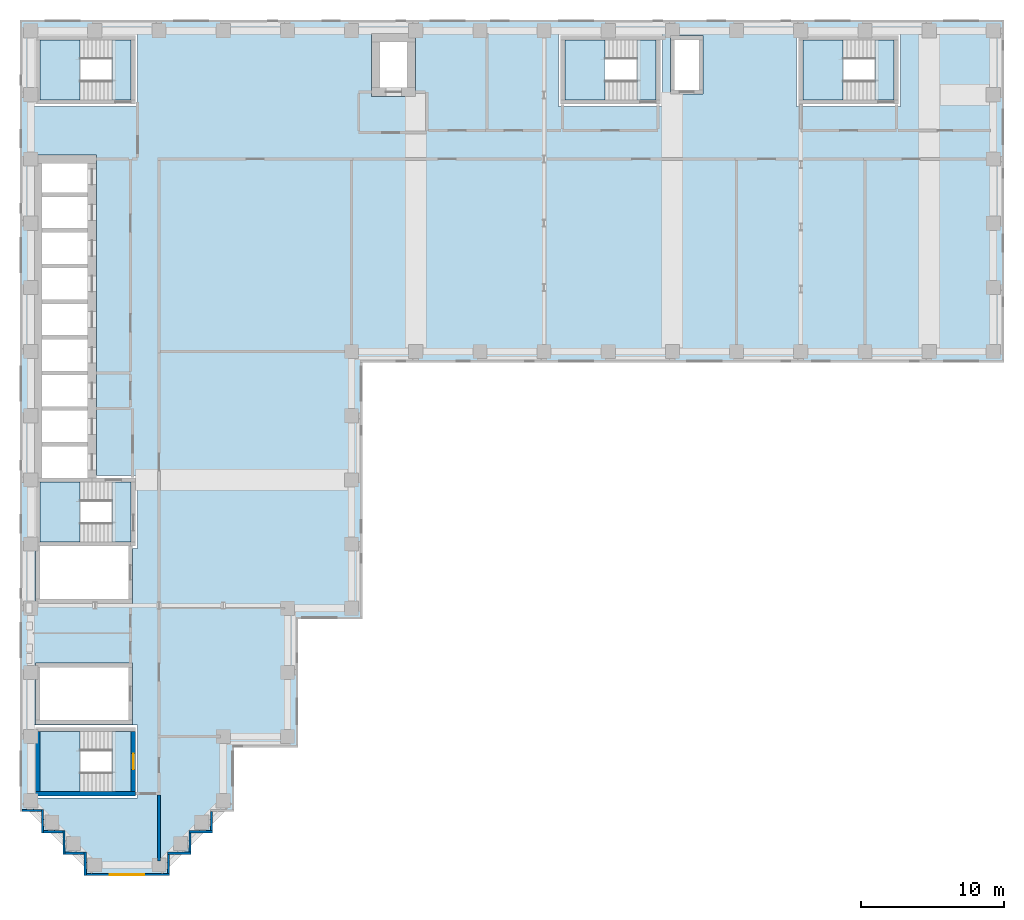
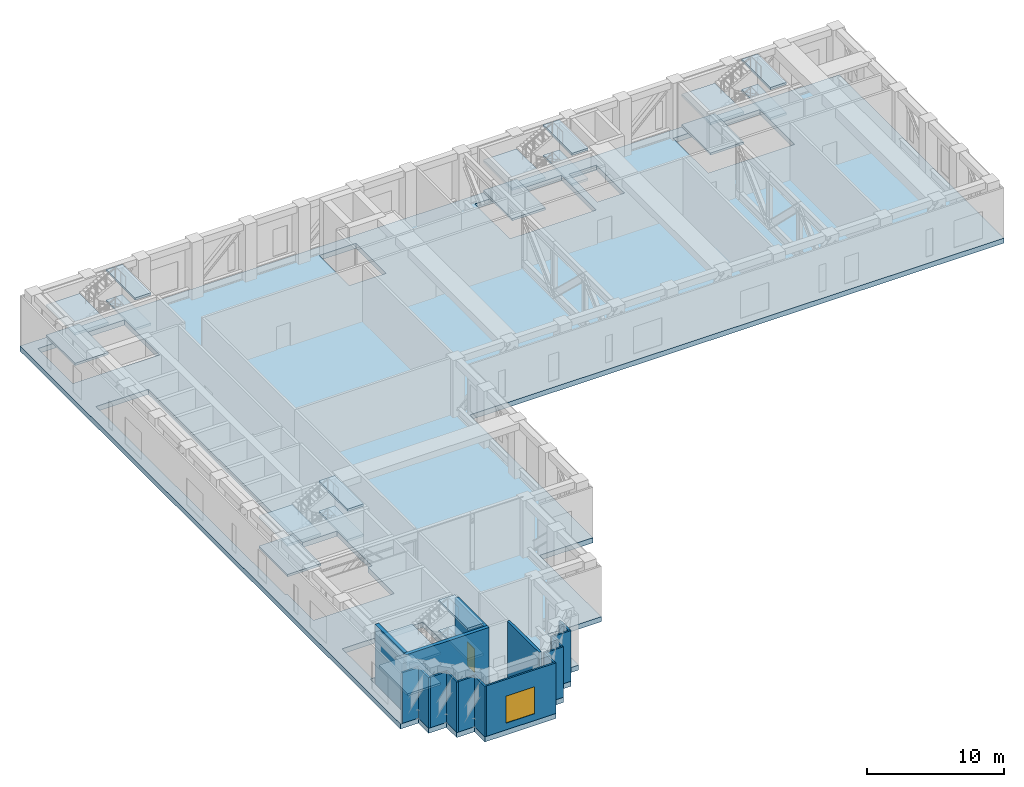
# One storey, part 4 of 14: 21 slabs, 16 walls, 1 door, 1 window, 2 openings, 5 elements without a shape of their own.
"""IFC4 building model written with IfcOpenShell, lengths in metres."""

from ifc_helpers import new_model, si_unit, direction, frame, frame_2d, origin, place, context, subcontext, project, spatial, polyline, rectangle, outline, extrude, material, layer, layer_set, type_object, element, fill, aggregate, save


model = new_model("IFC4")

# Units and contexts
model_context = context("Model", 3, precision=1e-05, world=origin(), true_north=direction((0.0, 1.0)))
body_context = subcontext(model_context, "Body", "Model", "MODEL_VIEW")
ifc_project = project(units=[si_unit("LENGTHUNIT", "METRE"), si_unit("AREAUNIT", "SQUARE_METRE"), si_unit("VOLUMEUNIT", "CUBIC_METRE"), si_unit("PLANEANGLEUNIT", "RADIAN"), si_unit("MASSUNIT", "GRAM", prefix="KILO")], contexts=[model_context])

# Site, building, storey
site_placement = place(None, origin())
site = spatial("IfcSite", under=ifc_project, at=site_placement, CompositionType="ELEMENT")
building_placement = place(site_placement, origin())
building = spatial("IfcBuilding", under=site, at=building_placement, Name="Firuza Court", CompositionType="ELEMENT")
storey_placement = place(building_placement, frame((0.0, 0.0, 173.60009765625)))
storey = spatial("IfcBuildingStorey", under=building, at=storey_placement, Name="L44", CompositionType="ELEMENT", Elevation=173.60009765625)

# Slab
ifc_material_1 = material(Name="Concrete C40/50", Category="concrete")
ifc_layer_1 = layer(ifc_material_1, 0.449951171875)
ifc_layer_set_1 = layer_set([ifc_layer_1], Name="Concrete C40/50")
slab_type_1 = type_object("IfcSlabType", Name="Floor slab 450 C40/50", PredefinedType="FLOOR", material=ifc_layer_set_1)
slab_1_placement = place(storey_placement, frame((0.0, 0.0, -0.4501953125)))
element("IfcSlab", 1, at=slab_1_placement, inside=storey, type_object=slab_type_1, Name="Floor slab L44", PredefinedType="FLOOR", context=body_context, shape_type="SweptSolid", body=[
    extrude(outline(polyline([(3.75, -0.75), (3.75, 0.75), (2.25, 0.75), (2.25, 2.25), (0.75, 2.25), (0.75, 3.75), (-0.75, 3.75), (-0.75, 59.25), (68.25, 59.25), (68.25, 35.25), (23.25, 35.25), (23.25, 17.25), (18.75, 17.25), (18.75, 8.25), (14.25, 8.25), (14.25, 3.75), (12.75, 3.75), (12.75, 2.25), (11.25, 2.25), (11.25, 0.75), (9.75, 0.75), (9.75, -0.75), (3.75, -0.75)]), holes=[polyline([(0.199951171875, 29.800048828125), (0.199951171875, 29.199951171875), (0.199951171875, 27.300048828125), (0.199951171875, 26.699951171875), (0.199951171875, 22.199951171875), (0.35009765625, 22.199951171875), (0.35009765625, 18.35009765625), (7.14990234375, 18.35009765625), (7.14990234375, 22.199951171875), (7.5, 22.199951171875), (7.5, 27.300048828125), (4.60009765625, 27.300048828125), (4.60009765625, 29.199951171875), (4.60009765625, 29.800048828125), (4.60009765625, 31.699951171875), (4.60009765625, 32.300048828125), (4.60009765625, 34.199951171875), (4.60009765625, 34.800048828125), (4.60009765625, 36.699951171875), (4.60009765625, 37.300048828125), (4.60009765625, 39.199951171875), (4.60009765625, 39.800048828125), (4.60009765625, 41.699951171875), (4.60009765625, 42.300048828125), (4.60009765625, 44.199951171875), (4.60009765625, 44.800048828125), (4.60009765625, 46.699951171875), (4.60009765625, 47.300048828125), (4.60009765625, 49.800048828125), (0.199951171875, 49.800048828125), (0.199951171875, 47.300048828125), (0.199951171875, 46.699951171875), (0.199951171875, 44.800048828125), (0.199951171875, 44.199951171875), (0.199951171875, 42.300048828125), (0.199951171875, 41.699951171875), (0.199951171875, 39.800048828125), (0.199951171875, 39.199951171875), (0.199951171875, 37.300048828125), (0.199951171875, 36.699951171875), (0.199951171875, 34.800048828125), (0.199951171875, 34.199951171875), (0.199951171875, 32.300048828125), (0.199951171875, 31.699951171875), (0.199951171875, 29.800048828125)]), polyline([(7.5, 9.800048828125), (0.199951171875, 9.800048828125), (0.199951171875, 4.699951171875), (7.5, 4.699951171875), (7.5, 9.800048828125)]), polyline([(7.14990234375, 14.14990234375), (0.35009765625, 14.14990234375), (0.35009765625, 9.85009765625), (7.14990234375, 9.85009765625), (7.14990234375, 14.14990234375)]), polyline([(7.5, 58.300048828125), (0.199951171875, 58.300048828125), (0.199951171875, 53.199951171875), (7.5, 53.199951171875), (7.5, 58.300048828125)]), polyline([(44.300048828125, 58.300048828125), (37.0, 58.300048828125), (37.0, 53.199951171875), (44.300048828125, 53.199951171875), (44.300048828125, 58.300048828125)]), polyline([(61.0, 58.300048828125), (53.699951171875, 58.300048828125), (53.699951171875, 53.199951171875), (61.0, 53.199951171875), (61.0, 58.300048828125)]), polyline([(27.0, 53.89990234375), (27.0, 58.300048828125), (23.89990234375, 58.300048828125), (23.89990234375, 53.89990234375), (27.0, 53.89990234375)]), polyline([(47.14990234375, 54.050048828125), (47.14990234375, 58.14990234375), (44.85009765625, 58.14990234375), (44.85009765625, 54.050048828125), (47.14990234375, 54.050048828125)])]), origin(), (0.0, 0.0, 1.0), 0.4501953125),
])

# Stair, slabs
ifc_material_2 = material(Name="Concrete C40/50 precast", Category="concrete")
stair_type = type_object("IfcStairType", Name="Stair 1350 x 5400 4 flights", PredefinedType="QUARTER_TURN_STAIR", material=ifc_material_2)
stair_1_placement = place(storey_placement, origin())
stair_1 = element("IfcStair", 2, at=stair_1_placement, inside=storey, type_object=stair_type, Name="Stair 1 L44", PredefinedType="QUARTER_TURN_STAIR")
ifc_material_3 = material(Name="Concrete C40/50 precast", Category="concrete")
ifc_layer_2 = layer(ifc_material_3, 0.199951171875)
ifc_layer_set_2 = layer_set([ifc_layer_2], Name="Concrete C40/50 precast")
slab_type_2 = type_object("IfcSlabType", Name="Stair landing 200", PredefinedType="LANDING", material=ifc_layer_set_2)
slab_2_placement = place(storey_placement, frame((0.0, 0.0, 1.14990234375)))
slab_2 = element("IfcSlab", 3, at=slab_2_placement, type_object=slab_type_2, Name="S1 landing 1", PredefinedType="LANDING", context=body_context, shape_type="SweptSolid", body=[
    extrude(outline(polyline([(40.260009765625, 53.64990234375), (40.260009765625, 57.85009765625), (37.449951171875, 57.85009765625), (37.449951171875, 53.64990234375), (40.260009765625, 53.64990234375)])), origin(), (0.0, 0.0, 1.0), 0.199951171875),
])
slab_3_placement = place(storey_placement, frame((0.0, 0.0, 2.5)))
slab_3 = element("IfcSlab", 4, at=slab_3_placement, type_object=slab_type_2, Name="S1 landing 2", PredefinedType="LANDING", context=body_context, shape_type="SweptSolid", body=[
    extrude(outline(polyline([(43.85009765625, 53.64990234375), (43.85009765625, 57.85009765625), (42.5, 57.85009765625), (42.5, 53.64990234375), (43.85009765625, 53.64990234375)])), origin(), (0.0, 0.0, 1.0), 0.199951171875),
])
slab_4_placement = place(storey_placement, frame((0.0, 0.0, 3.849853515625)))
slab_4 = element("IfcSlab", 5, at=slab_4_placement, type_object=slab_type_2, Name="S1 landing 3", PredefinedType="LANDING", context=body_context, shape_type="SweptSolid", body=[
    extrude(outline(polyline([(40.260009765625, 53.64990234375), (40.260009765625, 57.85009765625), (37.449951171875, 57.85009765625), (37.449951171875, 53.64990234375), (40.260009765625, 53.64990234375)])), origin(), (0.0, 0.0, 1.0), 0.199951171875),
])
slab_5_placement = place(storey_placement, frame((0.0, 0.0, 5.199951171875)))
slab_5 = element("IfcSlab", 6, at=slab_5_placement, type_object=slab_type_2, Name="S1 landing 4", PredefinedType="LANDING", context=body_context, shape_type="SweptSolid", body=[
    extrude(outline(polyline([(43.85009765625, 53.64990234375), (43.85009765625, 57.85009765625), (42.5, 57.85009765625), (42.5, 53.64990234375), (43.85009765625, 53.64990234375)])), origin(), (0.0, 0.0, 1.0), 0.199951171875),
])
aggregate(stair_1, [slab_2, slab_3, slab_4, slab_5])

stair_2_placement = place(storey_placement, origin())
stair_2 = element("IfcStair", 7, at=stair_2_placement, inside=storey, type_object=stair_type, Name="Stair 2 L44", PredefinedType="QUARTER_TURN_STAIR")
slab_6_placement = place(storey_placement, frame((0.0, 0.0, 1.14990234375)))
slab_6 = element("IfcSlab", 8, at=slab_6_placement, type_object=slab_type_2, Name="S2 landing 1", PredefinedType="LANDING", context=body_context, shape_type="SweptSolid", body=[
    extrude(outline(polyline([(3.4599609375, 22.64990234375), (3.4599609375, 26.85009765625), (0.64990234375, 26.85009765625), (0.64990234375, 22.64990234375), (3.4599609375, 22.64990234375)])), origin(), (0.0, 0.0, 1.0), 0.199951171875),
])
slab_7_placement = place(storey_placement, frame((0.0, 0.0, 2.5)))
slab_7 = element("IfcSlab", 9, at=slab_7_placement, type_object=slab_type_2, Name="S2 landing 2", PredefinedType="LANDING", context=body_context, shape_type="SweptSolid", body=[
    extrude(outline(polyline([(7.050048828125, 22.64990234375), (7.050048828125, 26.85009765625), (5.699951171875, 26.85009765625), (5.699951171875, 22.64990234375), (7.050048828125, 22.64990234375)])), origin(), (0.0, 0.0, 1.0), 0.199951171875),
])
slab_8_placement = place(storey_placement, frame((0.0, 0.0, 3.849853515625)))
slab_8 = element("IfcSlab", 10, at=slab_8_placement, type_object=slab_type_2, Name="S2 landing 3", PredefinedType="LANDING", context=body_context, shape_type="SweptSolid", body=[
    extrude(outline(polyline([(3.4599609375, 22.64990234375), (3.4599609375, 26.85009765625), (0.64990234375, 26.85009765625), (0.64990234375, 22.64990234375), (3.4599609375, 22.64990234375)])), origin(), (0.0, 0.0, 1.0), 0.199951171875),
])
slab_9_placement = place(storey_placement, frame((0.0, 0.0, 5.199951171875)))
slab_9 = element("IfcSlab", 11, at=slab_9_placement, type_object=slab_type_2, Name="S2 landing 4", PredefinedType="LANDING", context=body_context, shape_type="SweptSolid", body=[
    extrude(outline(polyline([(7.050048828125, 22.64990234375), (7.050048828125, 26.85009765625), (5.699951171875, 26.85009765625), (5.699951171875, 22.64990234375), (7.050048828125, 22.64990234375)])), origin(), (0.0, 0.0, 1.0), 0.199951171875),
])
aggregate(stair_2, [slab_6, slab_7, slab_8, slab_9])

stair_3_placement = place(storey_placement, origin())
stair_3 = element("IfcStair", 12, at=stair_3_placement, inside=storey, type_object=stair_type, Name="Stair 3 L44", PredefinedType="QUARTER_TURN_STAIR")
slab_10_placement = place(storey_placement, frame((0.0, 0.0, 1.14990234375)))
slab_10 = element("IfcSlab", 13, at=slab_10_placement, type_object=slab_type_2, Name="S3 landing 1", PredefinedType="LANDING", context=body_context, shape_type="SweptSolid", body=[
    extrude(outline(polyline([(3.4599609375, 53.64990234375), (3.4599609375, 57.85009765625), (0.64990234375, 57.85009765625), (0.64990234375, 53.64990234375), (3.4599609375, 53.64990234375)])), origin(), (0.0, 0.0, 1.0), 0.199951171875),
])
slab_11_placement = place(storey_placement, frame((0.0, 0.0, 2.5)))
slab_11 = element("IfcSlab", 14, at=slab_11_placement, type_object=slab_type_2, Name="S3 landing 2", PredefinedType="LANDING", context=body_context, shape_type="SweptSolid", body=[
    extrude(outline(polyline([(7.050048828125, 53.64990234375), (7.050048828125, 57.85009765625), (5.699951171875, 57.85009765625), (5.699951171875, 53.64990234375), (7.050048828125, 53.64990234375)])), origin(), (0.0, 0.0, 1.0), 0.199951171875),
])
slab_12_placement = place(storey_placement, frame((0.0, 0.0, 3.849853515625)))
slab_12 = element("IfcSlab", 15, at=slab_12_placement, type_object=slab_type_2, Name="S3 landing 3", PredefinedType="LANDING", context=body_context, shape_type="SweptSolid", body=[
    extrude(outline(polyline([(3.4599609375, 53.64990234375), (3.4599609375, 57.85009765625), (0.64990234375, 57.85009765625), (0.64990234375, 53.64990234375), (3.4599609375, 53.64990234375)])), origin(), (0.0, 0.0, 1.0), 0.199951171875),
])
slab_13_placement = place(storey_placement, frame((0.0, 0.0, 5.199951171875)))
slab_13 = element("IfcSlab", 16, at=slab_13_placement, type_object=slab_type_2, Name="S3 landing 4", PredefinedType="LANDING", context=body_context, shape_type="SweptSolid", body=[
    extrude(outline(polyline([(7.050048828125, 53.64990234375), (7.050048828125, 57.85009765625), (5.699951171875, 57.85009765625), (5.699951171875, 53.64990234375), (7.050048828125, 53.64990234375)])), origin(), (0.0, 0.0, 1.0), 0.199951171875),
])
aggregate(stair_3, [slab_10, slab_11, slab_12, slab_13])

stair_4_placement = place(storey_placement, origin())
stair_4 = element("IfcStair", 17, at=stair_4_placement, inside=storey, type_object=stair_type, Name="Stair 4 L44", PredefinedType="QUARTER_TURN_STAIR")
slab_14_placement = place(storey_placement, frame((0.0, 0.0, 1.14990234375)))
slab_14 = element("IfcSlab", 18, at=slab_14_placement, type_object=slab_type_2, Name="S4 landing 1", PredefinedType="LANDING", context=body_context, shape_type="SweptSolid", body=[
    extrude(outline(polyline([(56.9599609375, 53.64990234375), (56.9599609375, 57.85009765625), (54.14990234375, 57.85009765625), (54.14990234375, 53.64990234375), (56.9599609375, 53.64990234375)])), origin(), (0.0, 0.0, 1.0), 0.199951171875),
])
slab_15_placement = place(storey_placement, frame((0.0, 0.0, 2.5)))
slab_15 = element("IfcSlab", 19, at=slab_15_placement, type_object=slab_type_2, Name="S4 landing 2", PredefinedType="LANDING", context=body_context, shape_type="SweptSolid", body=[
    extrude(outline(polyline([(60.550048828125, 53.64990234375), (60.550048828125, 57.85009765625), (59.199951171875, 57.85009765625), (59.199951171875, 53.64990234375), (60.550048828125, 53.64990234375)])), origin(), (0.0, 0.0, 1.0), 0.199951171875),
])
slab_16_placement = place(storey_placement, frame((0.0, 0.0, 3.849853515625)))
slab_16 = element("IfcSlab", 20, at=slab_16_placement, type_object=slab_type_2, Name="S4 landing 3", PredefinedType="LANDING", context=body_context, shape_type="SweptSolid", body=[
    extrude(outline(polyline([(56.9599609375, 53.64990234375), (56.9599609375, 57.85009765625), (54.14990234375, 57.85009765625), (54.14990234375, 53.64990234375), (56.9599609375, 53.64990234375)])), origin(), (0.0, 0.0, 1.0), 0.199951171875),
])
slab_17_placement = place(storey_placement, frame((0.0, 0.0, 5.199951171875)))
slab_17 = element("IfcSlab", 21, at=slab_17_placement, type_object=slab_type_2, Name="S4 landing 4", PredefinedType="LANDING", context=body_context, shape_type="SweptSolid", body=[
    extrude(outline(polyline([(60.550048828125, 53.64990234375), (60.550048828125, 57.85009765625), (59.199951171875, 57.85009765625), (59.199951171875, 53.64990234375), (60.550048828125, 53.64990234375)])), origin(), (0.0, 0.0, 1.0), 0.199951171875),
])
aggregate(stair_4, [slab_14, slab_15, slab_16, slab_17])

stair_5_placement = place(storey_placement, origin())
stair_5 = element("IfcStair", 22, at=stair_5_placement, inside=storey, type_object=stair_type, Name="Stair 5 L44", PredefinedType="QUARTER_TURN_STAIR")
slab_18_placement = place(storey_placement, frame((0.0, 0.0, 1.14990234375)))
slab_18 = element("IfcSlab", 23, at=slab_18_placement, type_object=slab_type_2, Name="S5 landing 1", PredefinedType="LANDING", context=body_context, shape_type="SweptSolid", body=[
    extrude(outline(polyline([(3.4599609375, 5.14990234375), (3.4599609375, 9.35009765625), (0.64990234375, 9.35009765625), (0.64990234375, 5.14990234375), (3.4599609375, 5.14990234375)])), origin(), (0.0, 0.0, 1.0), 0.199951171875),
])
slab_19_placement = place(storey_placement, frame((0.0, 0.0, 2.5)))
slab_19 = element("IfcSlab", 24, at=slab_19_placement, type_object=slab_type_2, Name="S5 landing 2", PredefinedType="LANDING", context=body_context, shape_type="SweptSolid", body=[
    extrude(outline(polyline([(7.050048828125, 5.14990234375), (7.050048828125, 9.35009765625), (5.699951171875, 9.35009765625), (5.699951171875, 5.14990234375), (7.050048828125, 5.14990234375)])), origin(), (0.0, 0.0, 1.0), 0.199951171875),
])
slab_20_placement = place(storey_placement, frame((0.0, 0.0, 3.849853515625)))
slab_20 = element("IfcSlab", 25, at=slab_20_placement, type_object=slab_type_2, Name="S5 landing 3", PredefinedType="LANDING", context=body_context, shape_type="SweptSolid", body=[
    extrude(outline(polyline([(3.4599609375, 5.14990234375), (3.4599609375, 9.35009765625), (0.64990234375, 9.35009765625), (0.64990234375, 5.14990234375), (3.4599609375, 5.14990234375)])), origin(), (0.0, 0.0, 1.0), 0.199951171875),
])
slab_21_placement = place(storey_placement, frame((0.0, 0.0, 5.199951171875)))
slab_21 = element("IfcSlab", 26, at=slab_21_placement, type_object=slab_type_2, Name="S5 landing 4", PredefinedType="LANDING", context=body_context, shape_type="SweptSolid", body=[
    extrude(outline(polyline([(7.050048828125, 5.14990234375), (7.050048828125, 9.35009765625), (5.699951171875, 9.35009765625), (5.699951171875, 5.14990234375), (7.050048828125, 5.14990234375)])), origin(), (0.0, 0.0, 1.0), 0.199951171875),
])
aggregate(stair_5, [slab_18, slab_19, slab_20, slab_21])

# Walls
ifc_material_4 = material(Name="Concrete C60/75", Category="concrete")
ifc_layer_3 = layer(ifc_material_4, 0.300048828125)
ifc_layer_set_3 = layer_set([ifc_layer_3], Name="Concrete C60/75")
wall_type_1 = type_object("IfcWallType", Name="Core wall 300 C60/75", PredefinedType="SHEAR", material=ifc_layer_set_3)
wall_1_placement = place(storey_placement, frame((0.35009765625, 5.0, -0.4501953125), z_axis=(0.0, 0.0, 1.0), x_axis=(1.0, 0.0, 0.0)))
element("IfcWall", 27, at=wall_1_placement, inside=storey, type_object=wall_type_1, Name="Core wall stair L44", PredefinedType="SHEAR", context=body_context, shape_type="SweptSolid", body=[
    extrude(rectangle(XDim=7.0, YDim=0.300048828125, at=frame_2d((3.5, 0.0))), origin(), (0.0, 0.0, 1.0), 5.550048828125),
])
wall_2_placement = place(storey_placement, frame((0.5, 5.14990234375, -0.4501953125), z_axis=(0.0, 0.0, 1.0), x_axis=(0.0, 1.0, 0.0)))
element("IfcWall", 28, at=wall_2_placement, inside=storey, type_object=wall_type_1, Name="Core wall stair L44", PredefinedType="SHEAR", context=body_context, shape_type="SweptSolid", body=[
    extrude(rectangle(XDim=4.2001953125, YDim=0.300048828125, at=frame_2d((2.10009765625, 0.0))), origin(), (0.0, 0.0, 1.0), 5.550048828125),
])

# Wall, opening, door
wall_3_placement = place(storey_placement, frame((7.199951171875, 5.14990234375, -0.4501953125), z_axis=(0.0, 0.0, 1.0), x_axis=(0.0, 1.0, 0.0)))
wall_3 = element("IfcWall", 29, at=wall_3_placement, inside=storey, type_object=wall_type_1, Name="Core wall stair L44", PredefinedType="SHEAR", context=body_context, shape_type="SweptSolid", body=[
    extrude(rectangle(XDim=4.2001953125, YDim=0.300048828125, at=frame_2d((2.10009765625, 0.0))), origin(), (0.0, 0.0, 1.0), 5.550048828125),
])
opening_1_placement = place(wall_3_placement, frame((1.550048828125, 0.0, 0.449951171875)))
opening_1 = element("IfcOpeningElement", 30, at=opening_1_placement, cuts=wall_3, Name="Opening D44017", PredefinedType="OPENING", context=body_context, shape_type="SweptSolid", body=[
    extrude(rectangle(XDim=1.10009765625, YDim=2.10009765625, at=frame_2d((0.550048828125, 1.050048828125))), frame((0.0, 0.162109375, 0.0), z_axis=(0.0, -1.0, 0.0), x_axis=(1.0, 0.0, 0.0)), (0.0, 0.0, 1.0), 0.323974609375),
])
ifc_material_5 = material(Name="Timber door leaf in hardwood frame", Category="wood")
door_type = type_object("IfcDoorType", Name="Stair door 1100", OperationType="SINGLE_SWING_LEFT", PredefinedType="DOOR", material=ifc_material_5)
door_placement = place(opening_1_placement, origin())
door = element("IfcDoor", 31, at=door_placement, inside=storey, type_object=door_type, Name="Stair door S5", OperationType="SINGLE_SWING_LEFT", OverallHeight=2.10009765625, OverallWidth=1.10009765625, PredefinedType="DOOR", context=body_context, shape_type="SweptSolid", body=[
    extrude(rectangle(XDim=1.10009765625, YDim=2.10009765625, at=frame_2d((0.550048828125, 1.050048828125))), frame((0.0, 0.02490234375, 0.0), z_axis=(0.0, -1.0, 0.0), x_axis=(1.0, 0.0, 0.0)), (0.0, 0.0, 1.0), 0.050048828125),
])
fill(opening_1, door)

# Walls
ifc_material_6 = material(Name="Blockwork, fire-rated", Category="masonry")
ifc_layer_4 = layer(ifc_material_6, 0.199951171875)
ifc_layer_set_4 = layer_set([ifc_layer_4], Name="Blockwork, fire-rated")
wall_type_2 = type_object("IfcWallType", Name="Plant room wall 200", PredefinedType="PARTITIONING", material=ifc_layer_set_4)
wall_4_placement = place(storey_placement, frame((9.0, 0.270751953125, 0.0), z_axis=(0.0, 0.0, 1.0), x_axis=(0.0, 1.0, 0.0)))
element("IfcWall", 32, at=wall_4_placement, inside=storey, type_object=wall_type_2, Name="Plant room wall 200 L44", PredefinedType="PARTITIONING", context=body_context, shape_type="SweptSolid", body=[
    extrude(rectangle(XDim=4.629150390625, YDim=0.199951171875, at=frame_2d((2.314453125, 0.0))), origin(), (0.0, 0.0, 1.0), 5.099853515625),
])
ifc_material_7 = material(Name="Ceramic tile", Category="ceramic")
ifc_layer_5 = layer(ifc_material_7, 0.02001953125)
ifc_material_8 = material(Name="Mineral wool insulation", Category="insulation")
ifc_layer_6 = layer(ifc_material_8, 0.050048828125)
ifc_layer_7 = layer(ifc_material_3, 0.080078125)
ifc_layer_set_5 = layer_set([ifc_layer_5, ifc_layer_6, ifc_layer_7], Name="Concrete C40/50 precast")
wall_type_3 = type_object("IfcWallType", Name="Precast cladding wall with turquoise TILE PANEL face 150", PredefinedType="STANDARD", material=ifc_layer_set_5)
wall_5_placement = place(storey_placement, frame((9.675048828125, -0.60009765625, 0.0), z_axis=(0.0, 0.0, 1.0), x_axis=(0.0, 1.0, 0.0)))
element("IfcWall", 33, at=wall_5_placement, inside=storey, type_object=wall_type_3, Name="Facade wall L44 E", PredefinedType="STANDARD", context=body_context, shape_type="SweptSolid", body=[
    extrude(rectangle(XDim=1.35009765625, YDim=0.14990234375, at=frame_2d((0.675048828125, 0.0))), origin(), (0.0, 0.0, 1.0), 4.5),
])
wall_6_placement = place(storey_placement, frame((9.60009765625, 0.824951171875, 0.0), z_axis=(0.0, 0.0, 1.0), x_axis=(1.0, 0.0, 0.0)))
element("IfcWall", 34, at=wall_6_placement, inside=storey, type_object=wall_type_3, Name="Facade wall L44 S", PredefinedType="STANDARD", context=body_context, shape_type="SweptSolid", body=[
    extrude(rectangle(XDim=1.64990234375, YDim=0.14990234375, at=frame_2d((0.824951171875, 0.0))), origin(), (0.0, 0.0, 1.0), 4.5),
])
wall_7_placement = place(storey_placement, frame((11.175048828125, 0.89990234375, 0.0), z_axis=(0.0, 0.0, 1.0), x_axis=(0.0, 1.0, 0.0)))
element("IfcWall", 35, at=wall_7_placement, inside=storey, type_object=wall_type_3, Name="Facade wall L44 E", PredefinedType="STANDARD", context=body_context, shape_type="SweptSolid", body=[
    extrude(rectangle(XDim=1.35009765625, YDim=0.14990234375, at=frame_2d((0.675048828125, 0.0))), origin(), (0.0, 0.0, 1.0), 4.5),
])
wall_8_placement = place(storey_placement, frame((11.10009765625, 2.324951171875, 0.0), z_axis=(0.0, 0.0, 1.0), x_axis=(1.0, 0.0, 0.0)))
element("IfcWall", 36, at=wall_8_placement, inside=storey, type_object=wall_type_3, Name="Facade wall L44 S", PredefinedType="STANDARD", context=body_context, shape_type="SweptSolid", body=[
    extrude(rectangle(XDim=1.64990234375, YDim=0.14990234375, at=frame_2d((0.824951171875, 0.0))), origin(), (0.0, 0.0, 1.0), 4.5),
])
for number, where, z_axis, x_axis, name in (
    (37, (12.675048828125, 2.39990234375, 0.0), (0.0, 0.0, 1.0), (0.0, 1.0, 0.0), "Facade wall L44 E"),
    (38, (-0.60009765625, 3.824951171875, 0.0), (0.0, 0.0, 1.0), (1.0, 0.0, 0.0), "Facade wall L44 S"),
):
    element("IfcWall", number, at=place(storey_placement, frame(where, z_axis=z_axis, x_axis=x_axis)), inside=storey, type_object=wall_type_3, Name=name, PredefinedType="STANDARD", context=body_context, shape_type="SweptSolid", body=[
        extrude(rectangle(XDim=1.35009765625, YDim=0.14990234375, at=frame_2d((0.675048828125, 0.0))), origin(), (0.0, 0.0, 1.0), 4.5),
    ])
wall_9_placement = place(storey_placement, frame((0.824951171875, 3.89990234375, 0.0), z_axis=(0.0, 0.0, 1.0), x_axis=(0.0, -1.0, 0.0)))
element("IfcWall", 39, at=wall_9_placement, inside=storey, type_object=wall_type_3, Name="Facade wall L44 W", PredefinedType="STANDARD", context=body_context, shape_type="SweptSolid", body=[
    extrude(rectangle(XDim=1.64990234375, YDim=0.14990234375, at=frame_2d((0.824951171875, 0.0))), origin(), (0.0, 0.0, 1.0), 4.5),
])
wall_10_placement = place(storey_placement, frame((0.89990234375, 2.324951171875, 0.0), z_axis=(0.0, 0.0, 1.0), x_axis=(1.0, 0.0, 0.0)))
element("IfcWall", 40, at=wall_10_placement, inside=storey, type_object=wall_type_3, Name="Facade wall L44 S", PredefinedType="STANDARD", context=body_context, shape_type="SweptSolid", body=[
    extrude(rectangle(XDim=1.35009765625, YDim=0.14990234375, at=frame_2d((0.675048828125, 0.0))), origin(), (0.0, 0.0, 1.0), 4.5),
])
wall_11_placement = place(storey_placement, frame((2.324951171875, 2.39990234375, 0.0), z_axis=(0.0, 0.0, 1.0), x_axis=(0.0, -1.0, 0.0)))
element("IfcWall", 41, at=wall_11_placement, inside=storey, type_object=wall_type_3, Name="Facade wall L44 W", PredefinedType="STANDARD", context=body_context, shape_type="SweptSolid", body=[
    extrude(rectangle(XDim=1.64990234375, YDim=0.14990234375, at=frame_2d((0.824951171875, 0.0))), origin(), (0.0, 0.0, 1.0), 4.5),
])
wall_12_placement = place(storey_placement, frame((2.39990234375, 0.824951171875, 0.0), z_axis=(0.0, 0.0, 1.0), x_axis=(1.0, 0.0, 0.0)))
element("IfcWall", 42, at=wall_12_placement, inside=storey, type_object=wall_type_3, Name="Facade wall L44 S", PredefinedType="STANDARD", context=body_context, shape_type="SweptSolid", body=[
    extrude(rectangle(XDim=1.35009765625, YDim=0.14990234375, at=frame_2d((0.675048828125, 0.0))), origin(), (0.0, 0.0, 1.0), 4.5),
])
wall_13_placement = place(storey_placement, frame((3.824951171875, 0.89990234375, 0.0), z_axis=(0.0, 0.0, 1.0), x_axis=(0.0, -1.0, 0.0)))
element("IfcWall", 43, at=wall_13_placement, inside=storey, type_object=wall_type_3, Name="Facade wall L44 W", PredefinedType="STANDARD", context=body_context, shape_type="SweptSolid", body=[
    extrude(rectangle(XDim=1.64990234375, YDim=0.14990234375, at=frame_2d((0.824951171875, 0.0))), origin(), (0.0, 0.0, 1.0), 4.5),
])

# Wall, opening, window
wall_14_placement = place(storey_placement, frame((3.89990234375, -0.675048828125, 0.0), z_axis=(0.0, 0.0, 1.0), x_axis=(1.0, 0.0, 0.0)))
wall_14 = element("IfcWall", 44, at=wall_14_placement, inside=storey, type_object=wall_type_3, Name="Facade wall L44 S", PredefinedType="STANDARD", context=body_context, shape_type="SweptSolid", body=[
    extrude(rectangle(XDim=5.85009765625, YDim=0.14990234375, at=frame_2d((2.925048828125, 0.0))), origin(), (0.0, 0.0, 1.0), 4.5),
])
opening_2_placement = place(wall_14_placement, frame((1.64990234375, 0.0, 0.60009765625)))
opening_2 = element("IfcOpeningElement", 45, at=opening_2_placement, cuts=wall_14, Name="Opening LV2", PredefinedType="OPENING", context=body_context, shape_type="SweptSolid", body=[
    extrude(rectangle(XDim=2.39990234375, YDim=2.39990234375, at=frame_2d((1.199951171875, 1.199951171875))), frame((0.0, 0.0869140625, 0.0), z_axis=(0.0, -1.0, 0.0), x_axis=(1.0, 0.0, 0.0)), (0.0, 0.0, 1.0), 0.173828125),
])
ifc_material_9 = material(Name="Aluminium weather louvre with insect mesh", Category="aluminium")
window_type = type_object("IfcWindowType", Name="Plant louvre 2400 x 2400", PartitioningType="SINGLE_PANEL", PredefinedType="USERDEFINED", material=ifc_material_9)
window_placement = place(opening_2_placement, origin())
window = element("IfcWindow", 46, at=window_placement, inside=storey, type_object=window_type, Name="Louvre L44", ObjectType="LOUVRE", OverallHeight=2.39990234375, OverallWidth=2.39990234375, PartitioningType="SINGLE_PANEL", PredefinedType="USERDEFINED", context=body_context, shape_type="SweptSolid", body=[
    extrude(rectangle(XDim=2.39990234375, YDim=2.39990234375, at=frame_2d((1.199951171875, 1.199951171875))), frame((0.0, 0.030029296875, 0.0), z_axis=(0.0, -1.0, 0.0), x_axis=(1.0, 0.0, 0.0)), (0.0, 0.0, 1.0), 0.06005859375),
])
fill(opening_2, window)

save(model, "model.ifc")
